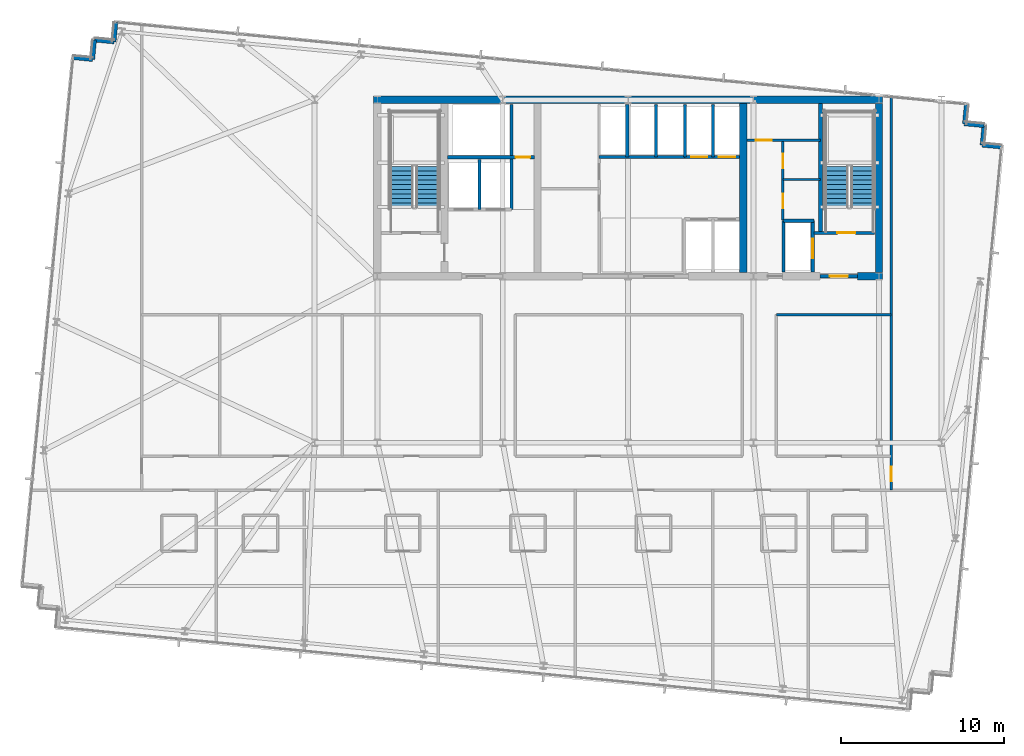
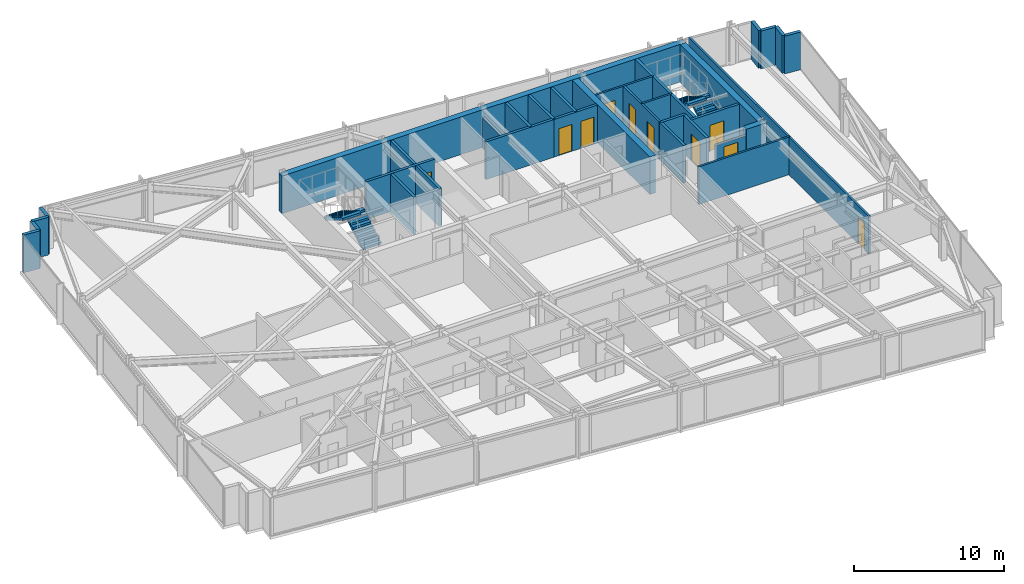
# One storey, part 31 of 37: 32 walls, 10 doors, 4 stair flights, 10 openings, 2 elements without a shape of their own.
"""IFC4 building model written with IfcOpenShell, lengths in metres."""

import ifcopenshell
import ifcopenshell.guid

model = None  # the IFC model being written
_history = None  # IfcOwnerHistory: only IFC2X3 demands one
_inside = {}  # id of a spatial element -> (the spatial element, [elements in it])
_under = {}  # id of a project, library or spatial element -> (it, [spatial elements below it])
_declared = {}  # id of a project -> (the project, [libraries it declares])
_typed = {}  # id of a type object -> (the type object, [elements of that type])
_made_of = {}  # id of a material, layer set ... -> (it, [elements and type objects made of it])


def new_model(schema):
    """Start an empty IFC model of exactly this schema.

    Asked for "IFC4X3", IfcOpenShell would pick the latest addendum, in which some entities
    have other attributes; the version numbers below select the first issue.
    IFC2X3 requires an IfcOwnerHistory on every rooted entity: one is made here for all.
    """
    global model, _history
    if schema == "IFC4X3":
        model = ifcopenshell.file(schema_version=(4, 3, 0, 0))
    else:
        model = ifcopenshell.file(schema=schema)
    _inside.clear()
    _under.clear()
    _declared.clear()
    _typed.clear()
    _made_of.clear()
    _history = None
    if model.schema == "IFC2X3":
        org = make("IfcOrganization", Name="unknown")
        user = make(
            "IfcPersonAndOrganization",
            ThePerson=make("IfcPerson", FamilyName="unknown"),
            TheOrganization=org,
        )
        app = make(
            "IfcApplication",
            ApplicationDeveloper=org,
            Version="unknown",
            ApplicationFullName="unknown",
            ApplicationIdentifier="unknown",
        )
        _history = make(
            "IfcOwnerHistory",
            OwningUser=user,
            OwningApplication=app,
            ChangeAction="ADDED",
            CreationDate=0,
        )
    return model


def make(cls, **values):
    """One entity of the class cls with the attributes given. An attribute that is None is left unset."""
    return model.create_entity(
        cls, **{name: value for name, value in values.items() if value is not None}
    )


def rooted(cls, **values):
    """An entity with a GlobalId (a new one), such as an element, a storey or a relation."""
    return make(cls, GlobalId=ifcopenshell.guid.new(), OwnerHistory=_history, **values)


def si_unit(unit_type, name, prefix=None):
    """IfcSIUnit, for example si_unit("LENGTHUNIT", "METRE", prefix="MILLI")."""
    return make("IfcSIUnit", UnitType=unit_type, Prefix=prefix, Name=name)


def assignment(units):
    """IfcUnitAssignment: the units of a project."""
    return None if units is None else make("IfcUnitAssignment", Units=units)


def point(xyz):
    """IfcCartesianPoint."""
    return None if xyz is None else make("IfcCartesianPoint", Coordinates=xyz)


def direction(xyz):
    """IfcDirection."""
    return None if xyz is None else make("IfcDirection", DirectionRatios=xyz)


def frame(location, z_axis=None, x_axis=None):
    """IfcAxis2Placement3D, a coordinate frame: its origin and axes. An axis left out is left unset."""
    return make(
        "IfcAxis2Placement3D",
        Location=point(location),
        Axis=direction(z_axis),
        RefDirection=direction(x_axis),
    )


def frame_2d(location, x_axis=None):
    """IfcAxis2Placement2D, a coordinate frame in the plane: its origin and x axis."""
    return make(
        "IfcAxis2Placement2D", Location=point(location), RefDirection=direction(x_axis)
    )


def origin():
    """The frame at (0, 0, 0) with its axes left unset."""
    return frame((0.0, 0.0, 0.0))


def place(relative_to, where):
    """IfcLocalPlacement: puts the frame where relative to a parent placement (None: the world)."""
    return make(
        "IfcLocalPlacement", PlacementRelTo=relative_to, RelativePlacement=where
    )


def context(
    kind, dimensions, precision=None, world=None, true_north=None, identifier=None
):
    """IfcGeometricRepresentationContext, for example the 3D "Model" context."""
    return make(
        "IfcGeometricRepresentationContext",
        ContextIdentifier=identifier,
        ContextType=kind,
        CoordinateSpaceDimension=dimensions,
        Precision=precision,
        WorldCoordinateSystem=world,
        TrueNorth=true_north,
    )


def subcontext(parent, identifier, kind, view, scale=None):
    """IfcGeometricRepresentationSubContext, for example "Body" below "Model"."""
    return make(
        "IfcGeometricRepresentationSubContext",
        ContextIdentifier=identifier,
        ContextType=kind,
        ParentContext=parent,
        TargetScale=scale,
        TargetView=view,
    )


def project(units=None, contexts=None):
    """IfcProject with its units and contexts."""
    return rooted(
        "IfcProject",
        Name="project",
        RepresentationContexts=contexts,
        UnitsInContext=assignment(units),
    )


def spatial(cls, under=None, at=None, **own):
    """A site, building, storey or space (cls), placed at a placement, below another one or the project."""
    s = rooted(cls, ObjectPlacement=at, **own)
    if under is not None:
        _under.setdefault(under.id(), (under, []))[1].append(s)
    return s


def polyline(points):
    """IfcPolyline through the points."""
    return make("IfcPolyline", Points=[point(p) for p in points])


def profile(cls, at=None, kind="AREA", **sizes):
    """A parametric profile (cls). Its sizes go by their IFC names, for example OverallWidth=200.0."""
    return make(cls, ProfileType=kind, Position=at, **sizes)


def rectangle(**sizes):
    """IfcRectangleProfileDef."""
    return profile("IfcRectangleProfileDef", **sizes)


def outline(outer, holes=None, kind="AREA"):
    """IfcArbitraryClosedProfileDef: a profile drawn as a closed curve; with holes, ...WithVoids."""
    if holes is None:
        return make("IfcArbitraryClosedProfileDef", ProfileType=kind, OuterCurve=outer)
    return make(
        "IfcArbitraryProfileDefWithVoids",
        ProfileType=kind,
        OuterCurve=outer,
        InnerCurves=holes,
    )


def extrude(swept, where, along, depth):
    """IfcExtrudedAreaSolid: the profile swept, set in the frame where, extruded along a direction by depth."""
    return make(
        "IfcExtrudedAreaSolid",
        SweptArea=swept,
        Position=where,
        ExtrudedDirection=direction(along),
        Depth=depth,
    )


def shape(context_of_items, identifier, shape_type, items):
    """IfcShapeRepresentation: the items that make up one representation, for example the "Body"."""
    return make(
        "IfcShapeRepresentation",
        ContextOfItems=context_of_items,
        RepresentationIdentifier=identifier,
        RepresentationType=shape_type,
        Items=items,
    )


def material(Name=None, Category=None):
    """IfcMaterial."""
    return make("IfcMaterial", Name=Name, Category=Category)


def layer(
    of_material, thickness, ventilated=None, Name=None, Category=None, Priority=None
):
    """IfcMaterialLayer: one layer of a wall or slab, of a material (None: an air gap)."""
    return make(
        "IfcMaterialLayer",
        Material=of_material,
        LayerThickness=thickness,
        IsVentilated=ventilated,
        Name=Name,
        Category=Category,
        Priority=Priority,
    )


def layer_set(layers, Name=None):
    """IfcMaterialLayerSet."""
    return make("IfcMaterialLayerSet", MaterialLayers=layers, LayerSetName=Name)


def made_of(thing, what):
    """Note that an element or type object is made of a material, layer set ...; save() writes the relation."""
    if what is not None:
        _made_of.setdefault(what.id(), (what, []))[1].append(thing)
    return thing


def type_object(cls, material=None, **own):
    """A type object (cls), such as IfcWallType, which elements share."""
    return made_of(rooted(cls, **own), material)


def element(
    cls,
    number,
    at=None,
    inside=None,
    cuts=None,
    type_object=None,
    material=None,
    context=None,
    identifier="Body",
    shape_type=None,
    held_by="IfcProductDefinitionShape",
    body=None,
    shapes=None,
    **own,
):
    """One element of the class cls, such as IfcWall. Its Tag is "e" and its number.

    at: its placement. inside: the storey or other place that contains it. cuts: it is an
    opening in that element (IfcRelVoidsElement). A single representation is given by context,
    identifier, shape_type and body (its items); several are given by shapes. held_by: the class
    of the entity that holds the representations. save() writes the other relations.
    """
    e = rooted(cls, Tag="e%d" % number, ObjectPlacement=at, **own)
    if body is not None:
        shapes = [shape(context, identifier, shape_type, body)]
    if shapes is not None:
        e.Representation = make(held_by, Representations=shapes)
    if inside is not None:
        _inside.setdefault(inside.id(), (inside, []))[1].append(e)
    if cuts is not None:
        rooted(
            "IfcRelVoidsElement", RelatingBuildingElement=cuts, RelatedOpeningElement=e
        )
    if type_object is not None:
        _typed.setdefault(type_object.id(), (type_object, []))[1].append(e)
    return made_of(e, material)


def fill(opening, filler):
    """IfcRelFillsElement: the door or window that sits in an opening."""
    return rooted(
        "IfcRelFillsElement",
        RelatingOpeningElement=opening,
        RelatedBuildingElement=filler,
    )


def aggregate(whole, parts):
    """IfcRelAggregates: a whole, such as a stair, and the parts it consists of."""
    return rooted("IfcRelAggregates", RelatingObject=whole, RelatedObjects=parts)


def save(model, path):
    """Write the relations noted so far, then the file.

    IfcRelAggregates (storeys below a building ...), IfcRelContainedInSpatialStructure (elements
    in a storey), IfcRelDefinesByType, IfcRelAssociatesMaterial and IfcRelDeclares: one each for
    every whole, place, type object, material and project.
    """
    for whole, parts in _under.values():
        aggregate(whole, parts)
    for where, things in _inside.values():
        rooted(
            "IfcRelContainedInSpatialStructure",
            RelatedElements=things,
            RelatingStructure=where,
        )
    for kind, things in _typed.values():
        rooted("IfcRelDefinesByType", RelatedObjects=things, RelatingType=kind)
    for what, things in _made_of.values():
        rooted("IfcRelAssociatesMaterial", RelatedObjects=things, RelatingMaterial=what)
    for by, libraries in _declared.values():
        rooted("IfcRelDeclares", RelatingContext=by, RelatedDefinitions=libraries)
    model.write(path)


model = new_model("IFC4")

# Units and contexts
model_context = context("Model", 3, precision=1e-05, world=origin(), true_north=direction((0.0, 1.0)))
body_context = subcontext(model_context, "Body", "Model", "MODEL_VIEW")
ifc_project = project(units=[si_unit("LENGTHUNIT", "METRE"), si_unit("AREAUNIT", "SQUARE_METRE"), si_unit("VOLUMEUNIT", "CUBIC_METRE"), si_unit("PLANEANGLEUNIT", "RADIAN"), si_unit("MASSUNIT", "GRAM", prefix="KILO")], contexts=[model_context])

# Site, building, storey
site_placement = place(None, origin())
site = spatial("IfcSite", under=ifc_project, at=site_placement, CompositionType="ELEMENT")
building_placement = place(site_placement, origin())
building = spatial("IfcBuilding", under=site, at=building_placement, Name="Yelkora Congress Tower", CompositionType="ELEMENT")
storey_placement = place(building_placement, frame((0.0, 0.0, 165.5)))
storey = spatial("IfcBuildingStorey", under=building, at=storey_placement, Name="L45", CompositionType="ELEMENT", Elevation=165.5)

# Walls
ifc_material_1 = material(Name="Concrete C50/60", Category="concrete")
ifc_layer_1 = layer(ifc_material_1, 0.219970703125)
ifc_layer_set_1 = layer_set([ifc_layer_1], Name="Concrete C50/60")
wall_type_1 = type_object("IfcWallType", Name="WALL-CORE-INT-220", PredefinedType="SHEAR", material=ifc_layer_set_1)
wall_1_placement = place(storey_placement, frame((50.179931640625, 38.050048828125, 0.0), z_axis=(0.0, 0.0, 1.0), x_axis=(0.0, 1.0, 0.0)))
element("IfcWall", 1, at=wall_1_placement, inside=storey, type_object=wall_type_1, Name="L45 ST02 West Stair Shear Wall", PredefinedType="SHEAR", context=body_context, shape_type="SweptSolid", body=[
    extrude(rectangle(XDim=7.925048828125, YDim=0.219970703125, at=frame_2d((3.96240234375, 0.0))), origin(), (0.0, 0.0, 1.0), 3.080078125),
])
ifc_material_2 = material(Name="Concrete C60/75", Category="concrete")
ifc_layer_2 = layer(ifc_material_2, 0.449951171875)
ifc_layer_set_2 = layer_set([ifc_layer_2], Name="Concrete C60/75")
wall_type_2 = type_object("IfcWallType", Name="WALL-CORE-INT-450", PredefinedType="SHEAR", material=ifc_layer_set_2)
wall_2_placement = place(storey_placement, frame((22.81494140625, 46.199951171875, 0.0), z_axis=(0.0, 0.0, 1.0), x_axis=(1.0, 0.0, 0.0)))
element("IfcWall", 2, at=wall_2_placement, inside=storey, type_object=wall_type_2, Name="L45 Rear Core North Shear Wall", PredefinedType="SHEAR", context=body_context, shape_type="SweptSolid", body=[
    extrude(rectangle(XDim=31.170166015625, YDim=0.449951171875, at=frame_2d((15.5849609375, 0.0))), origin(), (0.0, 0.0, 1.0), 3.080078125),
])
wall_3_placement = place(storey_placement, frame((52.449951171875, 35.39990234375, 0.0), z_axis=(0.0, 0.0, 1.0), x_axis=(1.0, 0.0, 0.0)))
element("IfcWall", 3, at=wall_3_placement, inside=storey, type_object=wall_type_2, Name="L45 Rear Core South-East Shear Wall B", PredefinedType="SHEAR", context=body_context, shape_type="SweptSolid", body=[
    extrude(rectangle(XDim=1.53515625, YDim=0.449951171875, at=frame_2d((0.767578125, 0.0))), origin(), (0.0, 0.0, 1.0), 3.080078125),
])
for number, where, z_axis, x_axis, name in (
    (4, (45.449951171875, 35.625, 0.0), (0.0, 0.0, 1.0), (0.0, 1.0, 0.0), "L45 Rear Core Cross Shear Wall C3"),
    (5, (53.760009765625, 35.625, 0.0), (0.0, 0.0, 1.0), (0.0, 1.0, 0.0), "L45 Rear Core Cross Shear Wall E"),
):
    element("IfcWall", number, at=place(storey_placement, frame(where, z_axis=z_axis, x_axis=x_axis)), inside=storey, type_object=wall_type_2, Name=name, PredefinedType="SHEAR", context=body_context, shape_type="SweptSolid", body=[
        extrude(rectangle(XDim=10.35009765625, YDim=0.449951171875, at=frame_2d((5.175048828125, 0.0))), origin(), (0.0, 0.0, 1.0), 3.080078125),
    ])
ifc_material_3 = material(Name="Concrete C40/50", Category="concrete")
ifc_layer_3 = layer(ifc_material_3, 0.239990234375)
ifc_layer_set_3 = layer_set([ifc_layer_3], Name="Concrete C40/50")
wall_type_3 = type_object("IfcWallType", Name="WALL-EXT-LIMESTONE-240", PredefinedType="SOLIDWALL", material=ifc_layer_set_3)
wall_4_placement = place(storey_placement, frame((4.41064453125, 48.778564453125, 0.0), z_axis=(0.0, 0.0, 1.0), x_axis=(0.995397091755, -0.095836473879, 0.0)))
element("IfcWall", 6, at=wall_4_placement, inside=storey, type_object=wall_type_3, Name="L45 Serrated Corner Limestone Pier 6", PredefinedType="SOLIDWALL", context=body_context, shape_type="SweptSolid", body=[
    extrude(rectangle(XDim=1.199951171875, YDim=0.239990234375, at=frame_2d((0.60009765625, 0.0))), origin(), (0.0, 0.0, 1.0), 3.080078125),
])
wall_5_placement = place(storey_placement, frame((5.60498046875, 48.66357421875, 0.0), z_axis=(0.0, 0.0, 1.0), x_axis=(0.096018626938, 0.995379537303, 0.0)))
element("IfcWall", 7, at=wall_5_placement, inside=storey, type_object=wall_type_3, Name="L45 Serrated Corner Limestone Pier 7", PredefinedType="SOLIDWALL", context=body_context, shape_type="SweptSolid", body=[
    extrude(rectangle(XDim=1.2001953125, YDim=0.239990234375, at=frame_2d((0.60009765625, 0.0))), origin(), (0.0, 0.0, 1.0), 3.080078125),
])
for number, where, z_axis, x_axis, name in (
    (8, (5.72021484375, 49.858154296875, 0.0), (0.0, 0.0, 1.0), (0.995397091755, -0.095836473879, 0.0), "L45 Serrated Corner Limestone Pier 8"),
    (9, (6.91455078125, 49.7431640625, 0.0), (0.0, 0.0, 1.0), (0.095836473879, 0.995397091755, 0.0), "L45 Serrated Corner Limestone Pier 9"),
):
    element("IfcWall", number, at=place(storey_placement, frame(where, z_axis=z_axis, x_axis=x_axis)), inside=storey, type_object=wall_type_3, Name=name, PredefinedType="SOLIDWALL", context=body_context, shape_type="SweptSolid", body=[
        extrude(rectangle(XDim=1.199951171875, YDim=0.239990234375, at=frame_2d((0.60009765625, 0.0))), origin(), (0.0, 0.0, 1.0), 3.080078125),
    ])
for number, where, z_axis, x_axis, name in (
    (10, (59.108642578125, 45.923095703125, 0.0), (0.0, 0.0, 1.0), (-0.095817067274, -0.995398960025, 0.0), "L45 Serrated Corner Limestone Pier 11"),
    (11, (58.99365234375, 44.728515625, 0.0), (0.0, 0.0, 1.0), (0.995398960025, -0.095817067274, 0.0), "L45 Serrated Corner Limestone Pier 12"),
    (12, (60.188232421875, 44.613525390625, 0.0), (0.0, 0.0, 1.0), (-0.096018626938, -0.995379537303, 0.0), "L45 Serrated Corner Limestone Pier 13"),
    (13, (60.072998046875, 43.4189453125, 0.0), (0.0, 0.0, 1.0), (0.995398960025, -0.095817067274, 0.0), "L45 Serrated Corner Limestone Pier 14"),
):
    element("IfcWall", number, at=place(storey_placement, frame(where, z_axis=z_axis, x_axis=x_axis)), inside=storey, type_object=wall_type_3, Name=name, PredefinedType="SOLIDWALL", context=body_context, shape_type="SweptSolid", body=[
        extrude(rectangle(XDim=1.2001953125, YDim=0.239990234375, at=frame_2d((0.60009765625, 0.0))), origin(), (0.0, 0.0, 1.0), 3.080078125),
    ])

# Wall, opening, door
ifc_material_4 = material(Name="Acoustic metal-stud gypsum partition", Category="gypsum")
ifc_layer_4 = layer(ifc_material_4, 0.14990234375)
ifc_layer_set_4 = layer_set([ifc_layer_4], Name="Acoustic metal-stud gypsum partition")
wall_type_4 = type_object("IfcWallType", Name="WALL-INT-150-NR", PredefinedType="PARTITIONING", material=ifc_layer_set_4)
wall_6_placement = place(storey_placement, frame((45.679931640625, 43.719970703125, 0.0), z_axis=(0.0, 0.0, 1.0), x_axis=(1.0, 0.0, 0.0)))
wall_6 = element("IfcWall", 14, at=wall_6_placement, inside=storey, type_object=wall_type_4, Name="L45 Partition Wall 24", PredefinedType="PARTITIONING", context=body_context, shape_type="SweptSolid", body=[
    extrude(rectangle(XDim=4.5, YDim=0.14990234375, at=frame_2d((2.25, 0.0))), origin(), (0.0, 0.0, 1.0), 3.080078125),
])
opening_1_placement = place(wall_6_placement, frame((0.550048828125, 0.0, 0.0)))
opening_1 = element("IfcOpeningElement", 15, at=opening_1_placement, cuts=wall_6, Name="Opening DR-095N", PredefinedType="OPENING", context=body_context, shape_type="SweptSolid", body=[
    extrude(rectangle(XDim=0.949951171875, YDim=2.14990234375, at=frame_2d((0.47509765625, 1.074951171875))), frame((0.0, 0.0849609375, 0.0), z_axis=(0.0, -1.0, 0.0), x_axis=(1.0, 0.0, 0.0)), (0.0, 0.0, 1.0), 0.169921875),
])
ifc_material_5 = material(Name="Acoustic laminated timber office door", Category="wood")
door_type_1 = type_object("IfcDoorType", Name="DOOR-INT-950", OperationType="NOTDEFINED", PredefinedType="DOOR", material=ifc_material_5)
door_1_placement = place(opening_1_placement, origin())
door_1 = element("IfcDoor", 16, at=door_1_placement, inside=storey, type_object=door_type_1, Name="L45 Accessible WC Door", OperationType="SINGLE_SWING_RIGHT", OverallHeight=2.14990234375, OverallWidth=0.949951171875, PredefinedType="DOOR", context=body_context, shape_type="SweptSolid", body=[
    extrude(rectangle(XDim=0.949951171875, YDim=2.14990234375, at=frame_2d((0.47509765625, 1.074951171875))), frame((0.0, 0.02490234375, 0.0), z_axis=(0.0, -1.0, 0.0), x_axis=(1.0, 0.0, 0.0)), (0.0, 0.0, 1.0), 0.050048828125),
])
fill(opening_1, door_1)

# Wall
wall_7_placement = place(storey_placement, frame((47.8798828125, 41.320068359375, 0.0), z_axis=(0.0, 0.0, 1.0), x_axis=(1.0, 0.0, 0.0)))
element("IfcWall", 17, at=wall_7_placement, inside=storey, type_object=wall_type_4, Name="L45 Partition Wall 25", PredefinedType="PARTITIONING", context=body_context, shape_type="SweptSolid", body=[
    extrude(rectangle(XDim=2.300048828125, YDim=0.14990234375, at=frame_2d((1.14990234375, 0.0))), origin(), (0.0, 0.0, 1.0), 3.080078125),
])

# Wall, openings, doors
wall_8_placement = place(storey_placement, frame((47.8798828125, 38.85009765625, 0.0), z_axis=(0.0, 0.0, 1.0), x_axis=(0.0, 1.0, 0.0)))
wall_8 = element("IfcWall", 18, at=wall_8_placement, inside=storey, type_object=wall_type_4, Name="L45 Partition Wall 26", PredefinedType="PARTITIONING", context=body_context, shape_type="SweptSolid", body=[
    extrude(rectangle(XDim=4.869873046875, YDim=0.14990234375, at=frame_2d((2.43505859375, 0.0))), origin(), (0.0, 0.0, 1.0), 3.080078125),
])
opening_2_placement = place(wall_8_placement, frame((0.699951171875, 0.0, 0.0)))
opening_2 = element("IfcOpeningElement", 19, at=opening_2_placement, cuts=wall_8, Name="Opening DR-090N", PredefinedType="OPENING", context=body_context, shape_type="SweptSolid", body=[
    extrude(rectangle(XDim=0.89990234375, YDim=2.14990234375, at=frame_2d((0.449951171875, 1.074951171875))), frame((0.0, 0.0849609375, 0.0), z_axis=(0.0, -1.0, 0.0), x_axis=(1.0, 0.0, 0.0)), (0.0, 0.0, 1.0), 0.169921875),
])
opening_3_placement = place(wall_8_placement, frame((3.14990234375, 0.0, 0.0)))
opening_3 = element("IfcOpeningElement", 20, at=opening_3_placement, cuts=wall_8, Name="Opening DR-090N", PredefinedType="OPENING", context=body_context, shape_type="SweptSolid", body=[
    extrude(rectangle(XDim=0.89990234375, YDim=2.14990234375, at=frame_2d((0.449951171875, 1.074951171875))), frame((0.0, 0.0849609375, 0.0), z_axis=(0.0, -1.0, 0.0), x_axis=(1.0, 0.0, 0.0)), (0.0, 0.0, 1.0), 0.169921875),
])
ifc_material_6 = material(Name="Moisture-resistant laminate door leaf", Category="wood")
door_type_2 = type_object("IfcDoorType", Name="DOOR-INT-900", OperationType="NOTDEFINED", PredefinedType="DOOR", material=ifc_material_6)
door_2_placement = place(opening_2_placement, origin())
door_2 = element("IfcDoor", 21, at=door_2_placement, inside=storey, type_object=door_type_2, Name="L45 Male WC Door", OperationType="SINGLE_SWING_LEFT", OverallHeight=2.14990234375, OverallWidth=0.89990234375, PredefinedType="DOOR", context=body_context, shape_type="SweptSolid", body=[
    extrude(rectangle(XDim=0.89990234375, YDim=2.14990234375, at=frame_2d((0.449951171875, 1.074951171875))), frame((0.0, 0.02490234375, 0.0), z_axis=(0.0, -1.0, 0.0), x_axis=(1.0, 0.0, 0.0)), (0.0, 0.0, 1.0), 0.050048828125),
])
fill(opening_2, door_2)
door_3_placement = place(opening_3_placement, origin())
door_3 = element("IfcDoor", 22, at=door_3_placement, inside=storey, type_object=door_type_2, Name="L45 Female WC Door", OperationType="SINGLE_SWING_RIGHT", OverallHeight=2.14990234375, OverallWidth=0.89990234375, PredefinedType="DOOR", context=body_context, shape_type="SweptSolid", body=[
    extrude(rectangle(XDim=0.89990234375, YDim=2.14990234375, at=frame_2d((0.449951171875, 1.074951171875))), frame((0.0, 0.02490234375, 0.0), z_axis=(0.0, -1.0, 0.0), x_axis=(1.0, 0.0, 0.0)), (0.0, 0.0, 1.0), 0.050048828125),
])
fill(opening_3, door_3)

# Wall, opening, door
wall_9_placement = place(storey_placement, frame((54.506103515625, 22.300048828125, 0.0), z_axis=(0.0, 0.0, 1.0), x_axis=(0.0, 1.0, 0.0)))
wall_9 = element("IfcWall", 23, at=wall_9_placement, inside=storey, type_object=wall_type_4, Name="L45 Partition Wall 63", PredefinedType="PARTITIONING", context=body_context, shape_type="SweptSolid", body=[
    extrude(rectangle(XDim=24.12646484375, YDim=0.14990234375, at=frame_2d((12.063232421875, 0.0))), origin(), (0.0, 0.0, 1.0), 3.080078125),
])
opening_4_placement = place(wall_9_placement, frame((0.528076171875, 0.0, 0.0)))
opening_4 = element("IfcOpeningElement", 24, at=opening_4_placement, cuts=wall_9, Name="Opening DR-090N", PredefinedType="OPENING", context=body_context, shape_type="SweptSolid", body=[
    extrude(rectangle(XDim=0.89990234375, YDim=2.14990234375, at=frame_2d((0.449951171875, 1.074951171875))), frame((0.0, 0.0849609375, 0.0), z_axis=(0.0, -1.0, 0.0), x_axis=(1.0, 0.0, 0.0)), (0.0, 0.0, 1.0), 0.169921875),
])
door_4_placement = place(opening_4_placement, origin())
door_4 = element("IfcDoor", 25, at=door_4_placement, inside=storey, type_object=door_type_2, Name="L45 E Wing Door", OperationType="SINGLE_SWING_RIGHT", OverallHeight=2.14990234375, OverallWidth=0.89990234375, PredefinedType="DOOR", context=body_context, shape_type="SweptSolid", body=[
    extrude(rectangle(XDim=0.89990234375, YDim=2.14990234375, at=frame_2d((0.449951171875, 1.074951171875))), frame((0.0, 0.02490234375, 0.0), z_axis=(0.0, -1.0, 0.0), x_axis=(1.0, 0.0, 0.0)), (0.0, 0.0, 1.0), 0.050048828125),
])
fill(opening_4, door_4)

# Walls
wall_10_placement = place(storey_placement, frame((47.47998046875, 33.050048828125, 0.0), z_axis=(0.0, 0.0, 1.0), x_axis=(1.0, 0.0, 0.0)))
element("IfcWall", 26, at=wall_10_placement, inside=storey, type_object=wall_type_4, Name="L45 Partition Wall 70", PredefinedType="PARTITIONING", context=body_context, shape_type="SweptSolid", body=[
    extrude(rectangle(XDim=7.026123046875, YDim=0.14990234375, at=frame_2d((3.51318359375, 0.0))), origin(), (0.0, 0.0, 1.0), 3.080078125),
])
ifc_material_7 = material(Name="Autoclaved aerated concrete blockwork", Category="masonry")
ifc_layer_5 = layer(ifc_material_7, 0.199951171875)
ifc_layer_set_5 = layer_set([ifc_layer_5], Name="Autoclaved aerated concrete blockwork")
wall_type_5 = type_object("IfcWallType", Name="WALL-INT-200-R120", PredefinedType="PARTITIONING", material=ifc_layer_set_5)
wall_11_placement = place(storey_placement, frame((29.300048828125, 39.47998046875, 0.0), z_axis=(0.0, 0.0, 1.0), x_axis=(0.0, 1.0, 0.0)))
element("IfcWall", 27, at=wall_11_placement, inside=storey, type_object=wall_type_5, Name="L45 Partition Wall 4", PredefinedType="PARTITIONING", context=body_context, shape_type="SweptSolid", body=[
    extrude(rectangle(XDim=3.070068359375, YDim=0.199951171875, at=frame_2d((1.53515625, 0.0))), origin(), (0.0, 0.0, 1.0), 3.080078125),
])
wall_12_placement = place(storey_placement, frame((31.260009765625, 39.47998046875, 0.0), z_axis=(0.0, 0.0, 1.0), x_axis=(0.0, 1.0, 0.0)))
element("IfcWall", 28, at=wall_12_placement, inside=storey, type_object=wall_type_5, Name="L45 Partition Wall 5", PredefinedType="PARTITIONING", context=body_context, shape_type="SweptSolid", body=[
    extrude(rectangle(XDim=6.43994140625, YDim=0.199951171875, at=frame_2d((3.219970703125, 0.0))), origin(), (0.0, 0.0, 1.0), 3.080078125),
])

# Wall, opening, door
wall_13_placement = place(storey_placement, frame((27.320068359375, 42.679931640625, 0.0), z_axis=(0.0, 0.0, 1.0), x_axis=(1.0, 0.0, 0.0)))
wall_13 = element("IfcWall", 29, at=wall_13_placement, inside=storey, type_object=wall_type_5, Name="L45 Smoke Riser South Wall", PredefinedType="PARTITIONING", context=body_context, shape_type="SweptSolid", body=[
    extrude(rectangle(XDim=5.329833984375, YDim=0.199951171875, at=frame_2d((2.6650390625, 0.0))), origin(), (0.0, 0.0, 1.0), 3.080078125),
])
opening_5_placement = place(wall_13_placement, frame((4.179931640625, 0.0, 0.0)))
opening_5 = element("IfcOpeningElement", 30, at=opening_5_placement, cuts=wall_13, Name="Opening DR-090F6", PredefinedType="OPENING", context=body_context, shape_type="SweptSolid", body=[
    extrude(rectangle(XDim=0.89990234375, YDim=2.14990234375, at=frame_2d((0.449951171875, 1.074951171875))), frame((0.0, 0.10986328125, 0.0), z_axis=(0.0, -1.0, 0.0), x_axis=(1.0, 0.0, 0.0)), (0.0, 0.0, 1.0), 0.219970703125),
])
ifc_material_8 = material(Name="Painted steel riser fire door leaf", Category="steel")
door_type_3 = type_object("IfcDoorType", Name="DOOR-FD60-900", OperationType="NOTDEFINED", PredefinedType="DOOR", material=ifc_material_8)
door_5_placement = place(opening_5_placement, origin())
door_5 = element("IfcDoor", 31, at=door_5_placement, inside=storey, type_object=door_type_3, Name="L45 Riser Access Door", OperationType="SINGLE_SWING_LEFT", OverallHeight=2.14990234375, OverallWidth=0.89990234375, PredefinedType="DOOR", context=body_context, shape_type="SweptSolid", body=[
    extrude(rectangle(XDim=0.89990234375, YDim=2.14990234375, at=frame_2d((0.449951171875, 1.074951171875))), frame((0.0, 0.02490234375, 0.0), z_axis=(0.0, -1.0, 0.0), x_axis=(1.0, 0.0, 0.0)), (0.0, 0.0, 1.0), 0.050048828125),
])
fill(opening_5, door_5)

# Walls
wall_14_placement = place(storey_placement, frame((36.60009765625, 42.699951171875, 0.0), z_axis=(0.0, 0.0, 1.0), x_axis=(1.0, 0.0, 0.0)))
element("IfcWall", 32, at=wall_14_placement, inside=storey, type_object=wall_type_5, Name="L45 Partition Wall 8", PredefinedType="PARTITIONING", context=body_context, shape_type="SweptSolid", body=[
    extrude(rectangle(XDim=5.25, YDim=0.199951171875, at=frame_2d((2.625, 0.0))), origin(), (0.0, 0.0, 1.0), 3.080078125),
])
wall_15_placement = place(storey_placement, frame((38.35009765625, 42.699951171875, 0.0), z_axis=(0.0, 0.0, 1.0), x_axis=(0.0, 1.0, 0.0)))
element("IfcWall", 33, at=wall_15_placement, inside=storey, type_object=wall_type_5, Name="L45 Partition Wall 9", PredefinedType="PARTITIONING", context=body_context, shape_type="SweptSolid", body=[
    extrude(rectangle(XDim=3.219970703125, YDim=0.199951171875, at=frame_2d((1.60986328125, 0.0))), origin(), (0.0, 0.0, 1.0), 2.47509765625),
])
wall_16_placement = place(storey_placement, frame((40.10009765625, 42.699951171875, 0.0), z_axis=(0.0, 0.0, 1.0), x_axis=(0.0, 1.0, 0.0)))
element("IfcWall", 34, at=wall_16_placement, inside=storey, type_object=wall_type_5, Name="L45 Partition Wall 10", PredefinedType="PARTITIONING", context=body_context, shape_type="SweptSolid", body=[
    extrude(rectangle(XDim=3.219970703125, YDim=0.199951171875, at=frame_2d((1.60986328125, 0.0))), origin(), (0.0, 0.0, 1.0), 3.080078125),
])

# Wall, openings, doors
wall_17_placement = place(storey_placement, frame((41.85009765625, 42.699951171875, 0.0), z_axis=(0.0, 0.0, 1.0), x_axis=(1.0, 0.0, 0.0)))
wall_17 = element("IfcWall", 35, at=wall_17_placement, inside=storey, type_object=wall_type_5, Name="L45 Partition Wall 14", PredefinedType="PARTITIONING", context=body_context, shape_type="SweptSolid", body=[
    extrude(rectangle(XDim=3.369873046875, YDim=0.199951171875, at=frame_2d((1.68505859375, 0.0))), origin(), (0.0, 0.0, 1.0), 3.080078125),
])
opening_6_placement = place(wall_17_placement, frame((0.39990234375, 0.0, 0.0)))
opening_6 = element("IfcOpeningElement", 36, at=opening_6_placement, cuts=wall_17, Name="Opening LD-PS10", PredefinedType="OPENING", context=body_context, shape_type="SweptSolid", body=[
    extrude(rectangle(XDim=1.0, YDim=2.199951171875, at=frame_2d((0.5, 1.10009765625))), frame((0.0, 0.10986328125, 0.0), z_axis=(0.0, -1.0, 0.0), x_axis=(1.0, 0.0, 0.0)), (0.0, 0.0, 1.0), 0.219970703125),
])
opening_7_placement = place(wall_17_placement, frame((2.10009765625, 0.0, 0.0)))
opening_7 = element("IfcOpeningElement", 37, at=opening_7_placement, cuts=wall_17, Name="Opening LD-PS10", PredefinedType="OPENING", context=body_context, shape_type="SweptSolid", body=[
    extrude(rectangle(XDim=1.0, YDim=2.199951171875, at=frame_2d((0.5, 1.10009765625))), frame((0.0, 0.10986328125, 0.0), z_axis=(0.0, -1.0, 0.0), x_axis=(1.0, 0.0, 0.0)), (0.0, 0.0, 1.0), 0.219970703125),
])
ifc_material_9 = material(Name="Champagne stainless steel landing door", Category="steel")
door_type_4 = type_object("IfcDoorType", Name="DOOR-LIFT-PAS-1000", OperationType="DOUBLE_DOOR_SLIDING", PredefinedType="DOOR", material=ifc_material_9)
door_6_placement = place(opening_6_placement, origin())
door_6 = element("IfcDoor", 38, at=door_6_placement, inside=storey, type_object=door_type_4, Name="Lift Landing Door LF-P7 L45", OperationType="DOUBLE_DOOR_SLIDING", OverallHeight=2.199951171875, OverallWidth=1.0, PredefinedType="DOOR", context=body_context, shape_type="SweptSolid", body=[
    extrude(rectangle(XDim=1.0, YDim=2.199951171875, at=frame_2d((0.5, 1.10009765625))), frame((0.0, 0.02490234375, 0.0), z_axis=(0.0, -1.0, 0.0), x_axis=(1.0, 0.0, 0.0)), (0.0, 0.0, 1.0), 0.050048828125),
])
fill(opening_6, door_6)
door_7_placement = place(opening_7_placement, origin())
door_7 = element("IfcDoor", 39, at=door_7_placement, inside=storey, type_object=door_type_4, Name="Lift Landing Door LF-P8 L45", OperationType="DOUBLE_DOOR_SLIDING", OverallHeight=2.199951171875, OverallWidth=1.0, PredefinedType="DOOR", context=body_context, shape_type="SweptSolid", body=[
    extrude(rectangle(XDim=1.0, YDim=2.199951171875, at=frame_2d((0.5, 1.10009765625))), frame((0.0, 0.02490234375, 0.0), z_axis=(0.0, -1.0, 0.0), x_axis=(1.0, 0.0, 0.0)), (0.0, 0.0, 1.0), 0.050048828125),
])
fill(opening_7, door_7)

# Walls
for number, where, z_axis, x_axis, name in (
    (40, (43.60009765625, 42.699951171875, 0.0), (0.0, 0.0, 1.0), (0.0, 1.0, 0.0), "L45 Partition Wall 16"),
    (41, (41.8798828125, 42.699951171875, 0.0), (0.0, 0.0, 1.0), (0.0, 1.0, 0.0), "L45 Partition Wall 18"),
):
    element("IfcWall", number, at=place(storey_placement, frame(where, z_axis=z_axis, x_axis=x_axis)), inside=storey, type_object=wall_type_5, Name=name, PredefinedType="PARTITIONING", context=body_context, shape_type="SweptSolid", body=[
        extrude(rectangle(XDim=3.219970703125, YDim=0.199951171875, at=frame_2d((1.60986328125, 0.0))), origin(), (0.0, 0.0, 1.0), 3.080078125),
    ])

# Wall, opening, door
wall_18_placement = place(storey_placement, frame((49.780029296875, 38.050048828125, 0.0), z_axis=(0.0, 0.0, 1.0), x_axis=(1.0, 0.0, 0.0)))
wall_18 = element("IfcWall", 42, at=wall_18_placement, inside=storey, type_object=wall_type_5, Name="L45 Stair ST-02 Enclosure Wall", PredefinedType="PARTITIONING", context=body_context, shape_type="SweptSolid", body=[
    extrude(rectangle(XDim=3.719970703125, YDim=0.199951171875, at=frame_2d((1.85986328125, 0.0))), origin(), (0.0, 0.0, 1.0), 3.080078125),
])
opening_8_placement = place(wall_18_placement, frame((1.436279296875, 0.0, 0.0)))
opening_8 = element("IfcOpeningElement", 43, at=opening_8_placement, cuts=wall_18, Name="Opening DR-110F9", PredefinedType="OPENING", context=body_context, shape_type="SweptSolid", body=[
    extrude(rectangle(XDim=1.10009765625, YDim=2.14990234375, at=frame_2d((0.550048828125, 1.074951171875))), frame((0.0, 0.10986328125, 0.0), z_axis=(0.0, -1.0, 0.0), x_axis=(1.0, 0.0, 0.0)), (0.0, 0.0, 1.0), 0.219970703125),
])
ifc_material_10 = material(Name="Galvanised steel fire door leaf", Category="steel")
door_type_5 = type_object("IfcDoorType", Name="DOOR-FD90-1100", OperationType="NOTDEFINED", PredefinedType="DOOR", material=ifc_material_10)
door_8_placement = place(opening_8_placement, origin())
door_8 = element("IfcDoor", 44, at=door_8_placement, inside=storey, type_object=door_type_5, Name="L45 Stair ST-02 Entry Door", OperationType="SINGLE_SWING_LEFT", OverallHeight=2.14990234375, OverallWidth=1.10009765625, PredefinedType="DOOR", context=body_context, shape_type="SweptSolid", body=[
    extrude(rectangle(XDim=1.10009765625, YDim=2.14990234375, at=frame_2d((0.550048828125, 1.074951171875))), frame((0.0, 0.02490234375, 0.0), z_axis=(0.0, -1.0, 0.0), x_axis=(1.0, 0.0, 0.0)), (0.0, 0.0, 1.0), 0.050048828125),
])
fill(opening_8, door_8)

wall_19_placement = place(storey_placement, frame((50.14990234375, 35.39990234375, 0.0), z_axis=(0.0, 0.0, 1.0), x_axis=(1.0, 0.0, 0.0)))
wall_19 = element("IfcWall", 45, at=wall_19_placement, inside=storey, type_object=wall_type_5, Name="L45 Partition Wall 20", PredefinedType="PARTITIONING", context=body_context, shape_type="SweptSolid", body=[
    extrude(rectangle(XDim=2.300048828125, YDim=0.199951171875, at=frame_2d((1.14990234375, 0.0))), origin(), (0.0, 0.0, 1.0), 2.47509765625),
])
opening_9_placement = place(wall_19_placement, frame((0.60009765625, 0.0, 0.0)))
opening_9 = element("IfcOpeningElement", 46, at=opening_9_placement, cuts=wall_19, Name="Opening DR-110F9", PredefinedType="OPENING", context=body_context, shape_type="SweptSolid", body=[
    extrude(rectangle(XDim=1.10009765625, YDim=2.14990234375, at=frame_2d((0.550048828125, 1.074951171875))), frame((0.0, 0.10986328125, 0.0), z_axis=(0.0, -1.0, 0.0), x_axis=(1.0, 0.0, 0.0)), (0.0, 0.0, 1.0), 0.219970703125),
])
door_9_placement = place(opening_9_placement, origin())
door_9 = element("IfcDoor", 47, at=door_9_placement, inside=storey, type_object=door_type_5, Name="L45 East Stair Lobby Door", OperationType="SINGLE_SWING_RIGHT", OverallHeight=2.14990234375, OverallWidth=1.10009765625, PredefinedType="DOOR", context=body_context, shape_type="SweptSolid", body=[
    extrude(rectangle(XDim=1.10009765625, YDim=2.14990234375, at=frame_2d((0.550048828125, 1.074951171875))), frame((0.0, 0.02490234375, 0.0), z_axis=(0.0, -1.0, 0.0), x_axis=(1.0, 0.0, 0.0)), (0.0, 0.0, 1.0), 0.050048828125),
])
fill(opening_9, door_9)

wall_20_placement = place(storey_placement, frame((49.699951171875, 35.64990234375, 0.0), z_axis=(0.0, 0.0, 1.0), x_axis=(0.0, 1.0, 0.0)))
wall_20 = element("IfcWall", 48, at=wall_20_placement, inside=storey, type_object=wall_type_5, Name="L45 Partition Wall 21", PredefinedType="PARTITIONING", context=body_context, shape_type="SweptSolid", body=[
    extrude(rectangle(XDim=3.150146484375, YDim=0.199951171875, at=frame_2d((1.5751953125, 0.0))), origin(), (0.0, 0.0, 1.0), 3.080078125),
])
opening_10_placement = place(wall_20_placement, frame((0.85009765625, 0.0, 0.0)))
opening_10 = element("IfcOpeningElement", 49, at=opening_10_placement, cuts=wall_20, Name="Opening LD-SV12", PredefinedType="OPENING", context=body_context, shape_type="SweptSolid", body=[
    extrude(rectangle(XDim=1.199951171875, YDim=2.199951171875, at=frame_2d((0.60009765625, 1.10009765625))), frame((0.0, 0.10986328125, 0.0), z_axis=(0.0, -1.0, 0.0), x_axis=(1.0, 0.0, 0.0)), (0.0, 0.0, 1.0), 0.219970703125),
])
ifc_material_11 = material(Name="Heavy-duty stainless steel landing door", Category="steel")
door_type_6 = type_object("IfcDoorType", Name="DOOR-LIFT-SRV-1200", OperationType="DOUBLE_DOOR_SLIDING", PredefinedType="DOOR", material=ifc_material_11)
door_10_placement = place(opening_10_placement, origin())
door_10 = element("IfcDoor", 50, at=door_10_placement, inside=storey, type_object=door_type_6, Name="Service Lift Landing Door LF-SV1 L45", OperationType="DOUBLE_DOOR_SLIDING", OverallHeight=2.199951171875, OverallWidth=1.199951171875, PredefinedType="DOOR", context=body_context, shape_type="SweptSolid", body=[
    extrude(rectangle(XDim=1.199951171875, YDim=2.199951171875, at=frame_2d((0.60009765625, 1.10009765625))), frame((0.0, 0.02490234375, 0.0), z_axis=(0.0, -1.0, 0.0), x_axis=(1.0, 0.0, 0.0)), (0.0, 0.0, 1.0), 0.050048828125),
])
fill(opening_10, door_10)

# Walls
wall_21_placement = place(storey_placement, frame((47.919921875, 35.64990234375, 0.0), z_axis=(0.0, 0.0, 1.0), x_axis=(0.0, 1.0, 0.0)))
element("IfcWall", 51, at=wall_21_placement, inside=storey, type_object=wall_type_5, Name="L45 Partition Wall 22", PredefinedType="PARTITIONING", context=body_context, shape_type="SweptSolid", body=[
    extrude(rectangle(XDim=3.150146484375, YDim=0.199951171875, at=frame_2d((1.5751953125, 0.0))), origin(), (0.0, 0.0, 1.0), 3.080078125),
])
wall_22_placement = place(storey_placement, frame((47.919921875, 38.800048828125, 0.0), z_axis=(0.0, 0.0, 1.0), x_axis=(1.0, 0.0, 0.0)))
element("IfcWall", 52, at=wall_22_placement, inside=storey, type_object=wall_type_5, Name="L45 Partition Wall 23", PredefinedType="PARTITIONING", context=body_context, shape_type="SweptSolid", body=[
    extrude(rectangle(XDim=1.860107421875, YDim=0.199951171875, at=frame_2d((0.93017578125, 0.0))), origin(), (0.0, 0.0, 1.0), 3.080078125),
])

# Stair, stair flights
stair_type = type_object("IfcStairType", Name="STAIR-HT-1420-R20-165", PredefinedType="HALF_TURN_STAIR", material=ifc_material_3)
stair_1_placement = place(storey_placement, origin())
stair_1 = element("IfcStair", 53, at=stair_1_placement, inside=storey, type_object=stair_type, Name="West Core Protected Exit Stair ST-01 (L45)", PredefinedType="HALF_TURN_STAIR")
stair_flight_type = type_object("IfcStairFlightType", Name="FLIGHT-1420-N10-R165-G280", PredefinedType="STRAIGHT", material=ifc_material_3)
stair_flight_1_placement = place(storey_placement, frame((26.110107421875, 39.60009765625, 0.0), z_axis=(0.0, 0.0, 1.0), x_axis=(0.0, 1.0, 0.0)))
stair_flight_1 = element("IfcStairFlight", 54, at=stair_flight_1_placement, type_object=stair_flight_type, Name="ST-01 L45 Flight 1", NumberOfRisers=10, NumberOfTreads=9, PredefinedType="STRAIGHT", RiserHeight=0.165, TreadLength=0.28, context=body_context, shape_type="SweptSolid", body=[
    extrude(outline(polyline([(0.0, 0.0), (0.0, 0.1650390625), (0.280029296875, 0.1650390625), (0.280029296875, 0.330078125), (0.56005859375, 0.330078125), (0.56005859375, 0.4951171875), (0.840087890625, 0.4951171875), (0.840087890625, 0.659912109375), (1.1201171875, 0.659912109375), (1.1201171875, 0.824951171875), (1.39990234375, 0.824951171875), (1.39990234375, 0.989990234375), (1.679931640625, 0.989990234375), (1.679931640625, 1.155029296875), (1.9599609375, 1.155029296875), (1.9599609375, 1.320068359375), (2.239990234375, 1.320068359375), (2.239990234375, 1.485107421875), (2.52001953125, 1.485107421875), (2.52001953125, 1.64990234375), (2.52001953125, 1.29931640625), (0.31494140625, 0.0), (0.0, 0.0)])), frame((0.0, 0.7099609375, 0.0), z_axis=(0.0, -1.0, 0.0), x_axis=(1.0, 0.0, 0.0)), (0.0, 0.0, 1.0), 1.419921875),
])
stair_flight_2_placement = place(storey_placement, frame((24.530029296875, 42.1201171875, 1.64990234375), z_axis=(0.0, 0.0, 1.0), x_axis=(0.0, -1.0, 0.0)))
stair_flight_2 = element("IfcStairFlight", 55, at=stair_flight_2_placement, type_object=stair_flight_type, Name="ST-01 L45 Flight 2", NumberOfRisers=10, NumberOfTreads=9, PredefinedType="STRAIGHT", RiserHeight=0.165, TreadLength=0.28, context=body_context, shape_type="SweptSolid", body=[
    extrude(outline(polyline([(0.0, 0.0), (0.0, 0.1650390625), (0.280029296875, 0.1650390625), (0.280029296875, 0.330078125), (0.56005859375, 0.330078125), (0.56005859375, 0.4951171875), (0.840087890625, 0.4951171875), (0.840087890625, 0.659912109375), (1.1201171875, 0.659912109375), (1.1201171875, 0.824951171875), (1.39990234375, 0.824951171875), (1.39990234375, 0.989990234375), (1.679931640625, 0.989990234375), (1.679931640625, 1.155029296875), (1.9599609375, 1.155029296875), (1.9599609375, 1.320068359375), (2.239990234375, 1.320068359375), (2.239990234375, 1.485107421875), (2.52001953125, 1.485107421875), (2.52001953125, 1.64990234375), (2.52001953125, 1.29931640625), (0.31494140625, 0.0), (0.0, 0.0)])), frame((0.0, 0.7099609375, 0.0), z_axis=(0.0, -1.0, 0.0), x_axis=(1.0, 0.0, 0.0)), (0.0, 0.0, 1.0), 1.419921875),
])
aggregate(stair_1, [stair_flight_1, stair_flight_2])

stair_2_placement = place(storey_placement, origin())
stair_2 = element("IfcStair", 56, at=stair_2_placement, inside=storey, type_object=stair_type, Name="East Core Protected Exit Stair ST-02 (L45)", PredefinedType="HALF_TURN_STAIR")
stair_flight_3_placement = place(storey_placement, frame((52.75, 39.60009765625, 0.0), z_axis=(0.0, 0.0, 1.0), x_axis=(0.0, 1.0, 0.0)))
stair_flight_3 = element("IfcStairFlight", 57, at=stair_flight_3_placement, type_object=stair_flight_type, Name="ST-02 L45 Flight 1", NumberOfRisers=10, NumberOfTreads=9, PredefinedType="STRAIGHT", RiserHeight=0.165, TreadLength=0.28, context=body_context, shape_type="SweptSolid", body=[
    extrude(outline(polyline([(0.0, 0.0), (0.0, 0.1650390625), (0.280029296875, 0.1650390625), (0.280029296875, 0.330078125), (0.56005859375, 0.330078125), (0.56005859375, 0.4951171875), (0.840087890625, 0.4951171875), (0.840087890625, 0.659912109375), (1.1201171875, 0.659912109375), (1.1201171875, 0.824951171875), (1.39990234375, 0.824951171875), (1.39990234375, 0.989990234375), (1.679931640625, 0.989990234375), (1.679931640625, 1.155029296875), (1.9599609375, 1.155029296875), (1.9599609375, 1.320068359375), (2.239990234375, 1.320068359375), (2.239990234375, 1.485107421875), (2.52001953125, 1.485107421875), (2.52001953125, 1.64990234375), (2.52001953125, 1.29931640625), (0.31494140625, 0.0), (0.0, 0.0)])), frame((0.0, 0.7099609375, 0.0), z_axis=(0.0, -1.0, 0.0), x_axis=(1.0, 0.0, 0.0)), (0.0, 0.0, 1.0), 1.419921875),
])
stair_flight_4_placement = place(storey_placement, frame((51.169921875, 42.1201171875, 1.64990234375), z_axis=(0.0, 0.0, 1.0), x_axis=(0.0, -1.0, 0.0)))
stair_flight_4 = element("IfcStairFlight", 58, at=stair_flight_4_placement, type_object=stair_flight_type, Name="ST-02 L45 Flight 2", NumberOfRisers=10, NumberOfTreads=9, PredefinedType="STRAIGHT", RiserHeight=0.165, TreadLength=0.28, context=body_context, shape_type="SweptSolid", body=[
    extrude(outline(polyline([(0.0, 0.0), (0.0, 0.1650390625), (0.280029296875, 0.1650390625), (0.280029296875, 0.330078125), (0.56005859375, 0.330078125), (0.56005859375, 0.4951171875), (0.840087890625, 0.4951171875), (0.840087890625, 0.659912109375), (1.1201171875, 0.659912109375), (1.1201171875, 0.824951171875), (1.39990234375, 0.824951171875), (1.39990234375, 0.989990234375), (1.679931640625, 0.989990234375), (1.679931640625, 1.155029296875), (1.9599609375, 1.155029296875), (1.9599609375, 1.320068359375), (2.239990234375, 1.320068359375), (2.239990234375, 1.485107421875), (2.52001953125, 1.485107421875), (2.52001953125, 1.64990234375), (2.52001953125, 1.29931640625), (0.31494140625, 0.0), (0.0, 0.0)])), frame((0.0, 0.7099609375, 0.0), z_axis=(0.0, -1.0, 0.0), x_axis=(1.0, 0.0, 0.0)), (0.0, 0.0, 1.0), 1.419921875),
])
aggregate(stair_2, [stair_flight_3, stair_flight_4])

save(model, "model.ifc")
